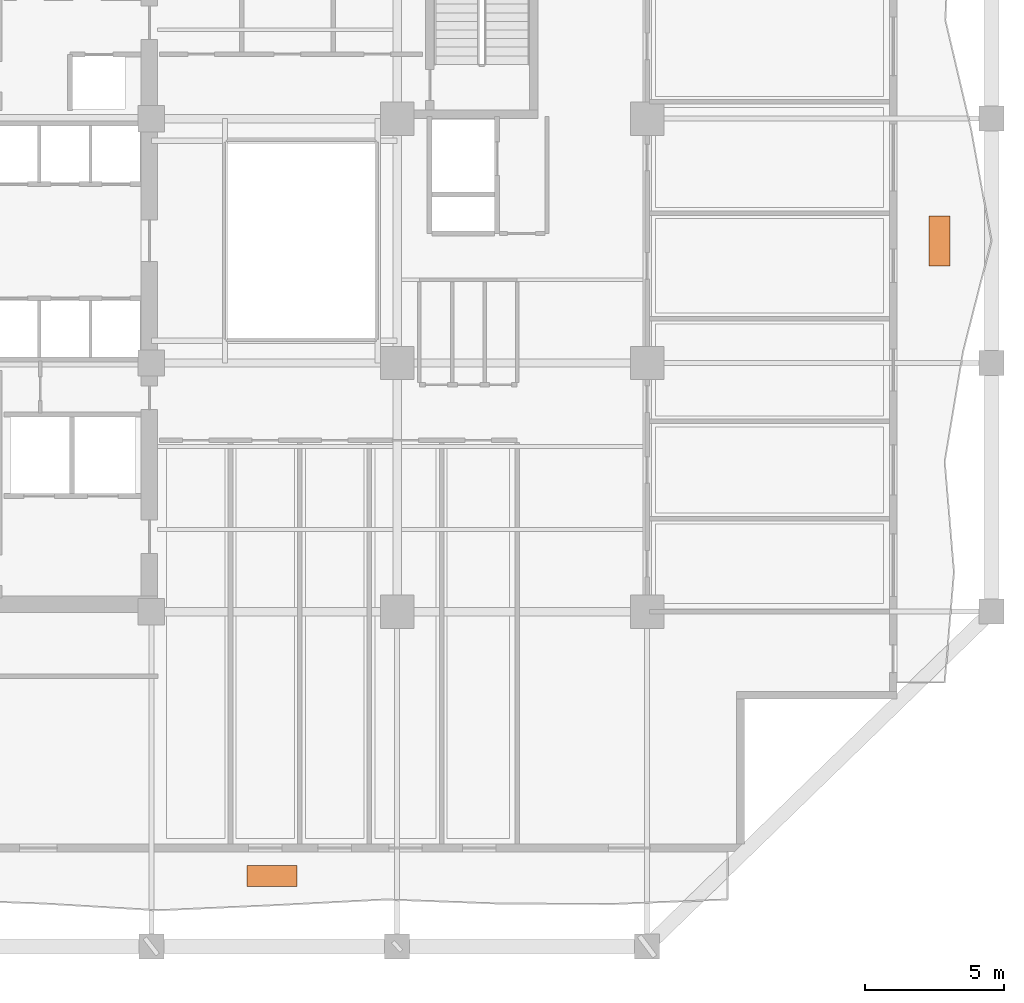
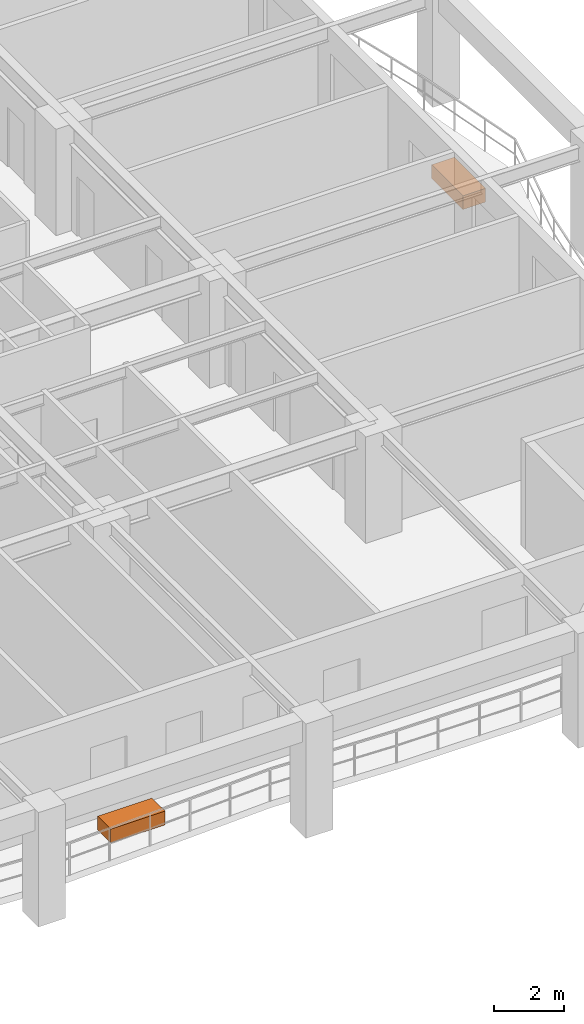
# One storey, part 13 of 13: 2 proxies.
"""IFC4 building model written with IfcOpenShell, lengths in metres."""

from ifc_helpers import new_model, si_unit, direction, frame, origin, origin_2d, place, context, subcontext, project, spatial, rectangle, extrude, material, type_object, element, save


model = new_model("IFC4")

# Units and contexts
model_context = context("Model", 3, precision=1e-05, world=origin(), true_north=direction((0.0, 1.0)))
body_context = subcontext(model_context, "Body", "Model", "MODEL_VIEW")
ifc_project = project(units=[si_unit("LENGTHUNIT", "METRE"), si_unit("AREAUNIT", "SQUARE_METRE"), si_unit("VOLUMEUNIT", "CUBIC_METRE"), si_unit("PLANEANGLEUNIT", "RADIAN"), si_unit("MASSUNIT", "GRAM", prefix="KILO")], contexts=[model_context])

# Site, building, storey
site_placement = place(None, origin())
site = spatial("IfcSite", under=ifc_project, at=site_placement, CompositionType="ELEMENT")
building_placement = place(site_placement, origin())
building = spatial("IfcBuilding", under=site, at=building_placement, Name="Kundavana Baori Tower", CompositionType="ELEMENT")
storey_placement = place(building_placement, frame((0.0, 0.0, 62.0)))
storey = spatial("IfcBuildingStorey", under=building, at=storey_placement, Name="L14", CompositionType="ELEMENT", Elevation=62.0)

# Proxies
ifc_material = material(Name="Red-Buff Dholpur Sandstone Cladding on Concrete C40/50", Category="masonry")
building_element_proxy_type = type_object("IfcBuildingElementProxyType", Name="PRX-PLANTER-1800", PredefinedType="USERDEFINED", material=ifc_material)
for number, where, z_axis, x_axis, name in (
    (1, (29.300048828125, 5.73193359375, 0.0), (0.0, 0.0, 1.0), (1.0, 0.0, 0.0), "L14 Dholpur Stone Structural Tree Planter S"),
    (2, (53.330078125, 28.60009765625, 0.0), (0.0, 0.0, 1.0), (0.0, 1.0, 0.0), "L14 Dholpur Stone Structural Tree Planter E"),
):
    element("IfcBuildingElementProxy", number, at=place(storey_placement, frame(where, z_axis=z_axis, x_axis=x_axis)), inside=storey, type_object=building_element_proxy_type, Name=name, ObjectType="PLANTER", PredefinedType="USERDEFINED", context=body_context, shape_type="SweptSolid", body=[
        extrude(rectangle(XDim=1.800048828125, YDim=0.75, at=origin_2d()), origin(), (0.0, 0.0, 1.0), 0.47998046875),
    ])

save(model, "model.ifc")
